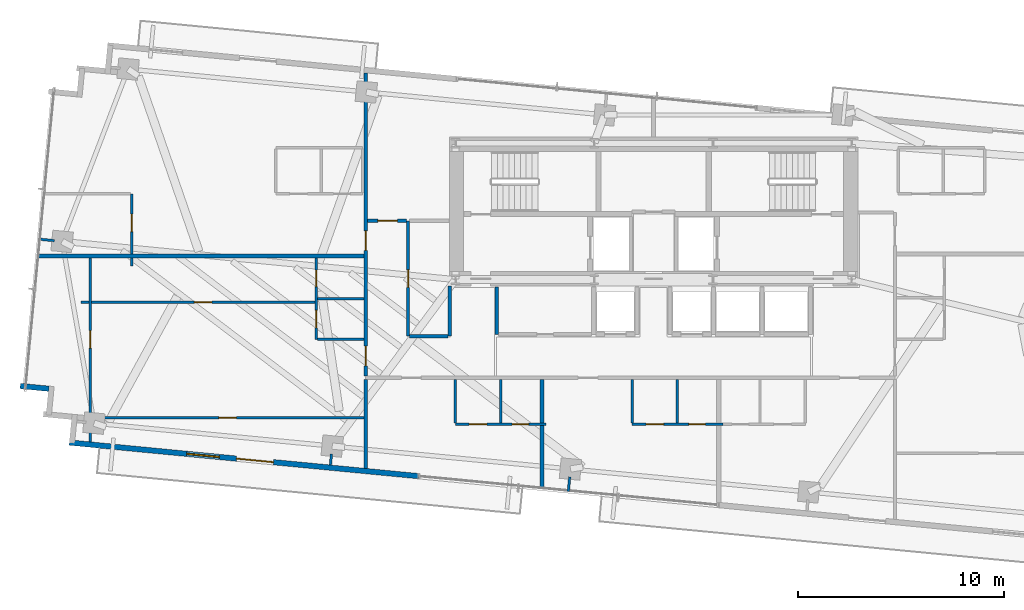
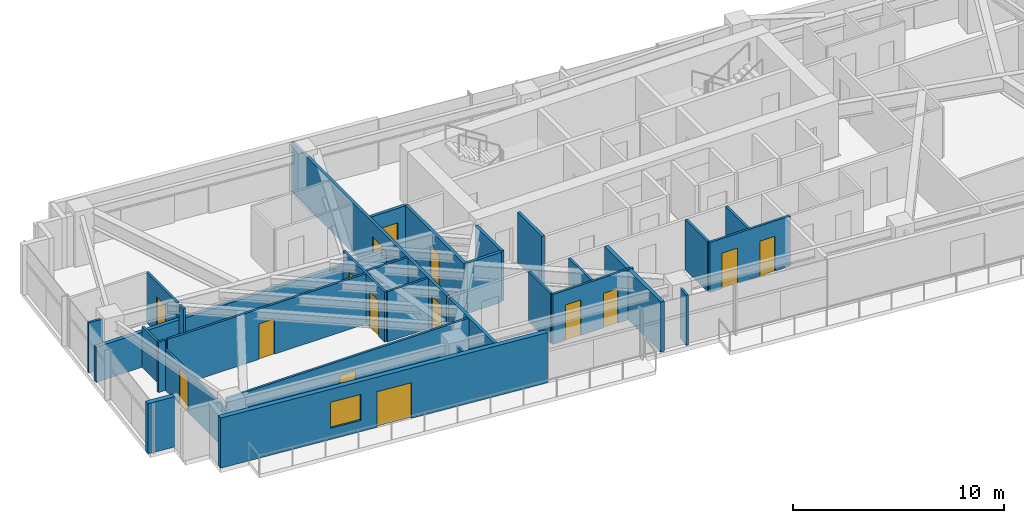
# One storey, part 15 of 20: 30 walls, 15 doors, 1 window, 16 openings.
"""IFC4 building model written with IfcOpenShell, lengths in metres."""

from ifc_helpers import new_model, si_unit, direction, frame, frame_2d, origin, place, context, subcontext, project, spatial, rectangle, extrude, source, transform, mapped, material, layer, layer_set, type_object, type_shapes, element, fill, save


model = new_model("IFC4")

# Units and contexts
model_context = context("Model", 3, precision=1e-05, world=origin(), true_north=direction((0.0, 1.0)))
body_context = subcontext(model_context, "Body", "Model", "MODEL_VIEW")
ifc_project = project(units=[si_unit("LENGTHUNIT", "METRE"), si_unit("AREAUNIT", "SQUARE_METRE"), si_unit("VOLUMEUNIT", "CUBIC_METRE"), si_unit("PLANEANGLEUNIT", "RADIAN"), si_unit("MASSUNIT", "GRAM", prefix="KILO")], contexts=[model_context])

# Site, building, storey
site_placement = place(None, origin())
site = spatial("IfcSite", under=ifc_project, at=site_placement, CompositionType="ELEMENT")
building_placement = place(site_placement, origin())
building = spatial("IfcBuilding", under=site, at=building_placement, Name="Astriad Promenade Condominiums", CompositionType="ELEMENT")
storey_placement = place(building_placement, frame((0.0, 0.0, 159.800048828125)))
storey = spatial("IfcBuildingStorey", under=building, at=storey_placement, Name="L46", CompositionType="ELEMENT", Elevation=159.800048828125)

# Walls
ifc_material_1 = material(Name="Fire-Rated Gypsum Partition")
ifc_layer_1 = layer(ifc_material_1, 0.159912109375)
ifc_layer_set_1 = layer_set([ifc_layer_1], Name="Fire-Rated Gypsum Partition")
wall_type_1 = type_object("IfcWallType", Name="WALL-CORR-160", PredefinedType="PARTITIONING", material=ifc_layer_set_1)
wall_1_placement = place(storey_placement, frame((28.39990234375, 14.75, 0.0), z_axis=(0.0, 0.0, 1.0), x_axis=(0.0, 1.0, 0.0)))
element("IfcWall", 1, at=wall_1_placement, inside=storey, type_object=wall_type_1, Name="REC-L-W-L46", PredefinedType="PARTITIONING", context=body_context, shape_type="SweptSolid", body=[
    extrude(rectangle(XDim=2.300048828125, YDim=0.159912109375, at=frame_2d((1.14990234375, 0.0))), origin(), (0.0, 0.0, 1.0), 2.89990234375),
])
wall_2_placement = place(storey_placement, frame((22.050048828125, 8.253173828125, 0.0), z_axis=(0.0, 0.0, 1.0), x_axis=(0.0, 1.0, 0.0)))
element("IfcWall", 2, at=wall_2_placement, inside=storey, type_object=wall_type_1, Name="PT-COR-W-L46", PredefinedType="PARTITIONING", context=body_context, shape_type="SweptSolid", body=[
    extrude(rectangle(XDim=4.31494140625, YDim=0.159912109375, at=frame_2d((2.157470703125, 0.0))), origin(), (0.0, 0.0, 1.0), 2.89990234375),
])

# Wall, openings, doors
wall_3_placement = place(storey_placement, frame((22.050048828125, 12.73193359375, 0.0), z_axis=(0.0, 0.0, 1.0), x_axis=(0.0, 1.0, 0.0)))
wall_3 = element("IfcWall", 3, at=wall_3_placement, inside=storey, type_object=wall_type_1, Name="PT-COR-W-L46-S2", PredefinedType="PARTITIONING", context=body_context, shape_type="SweptSolid", body=[
    extrude(rectangle(XDim=14.685302734375, YDim=0.159912109375, at=frame_2d((7.3427734375, 0.0))), origin(), (0.0, 0.0, 1.0), 2.89990234375),
])
opening_1_placement = place(wall_3_placement, frame((0.492919921875, 0.0, 0.0)))
opening_1 = element("IfcOpeningElement", 4, at=opening_1_placement, cuts=wall_3, Name="Opening FD60-APT-095", PredefinedType="OPENING", context=body_context, shape_type="SweptSolid", body=[
    extrude(rectangle(XDim=0.949951171875, YDim=2.06005859375, at=frame_2d((0.47509765625, 1.030029296875))), frame((0.0, 0.08984375, 0.0), z_axis=(0.0, -1.0, 0.0), x_axis=(1.0, 0.0, 0.0)), (0.0, 0.0, 1.0), 0.179931640625),
])
opening_2_placement = place(wall_3_placement, frame((6.0849609375, 0.0, 0.0)))
opening_2 = element("IfcOpeningElement", 5, at=opening_2_placement, cuts=wall_3, Name="Opening FD60-APT-095", PredefinedType="OPENING", context=body_context, shape_type="SweptSolid", body=[
    extrude(rectangle(XDim=0.949951171875, YDim=2.06005859375, at=frame_2d((0.47509765625, 1.030029296875))), frame((0.0, 0.08984375, 0.0), z_axis=(0.0, -1.0, 0.0), x_axis=(1.0, 0.0, 0.0)), (0.0, 0.0, 1.0), 0.179931640625),
])
ifc_material_2 = material(Name="Solid-Core Acoustic Timber Residence Entry Door", Category="wood")
door_type_1 = type_object("IfcDoorType", Name="FD60-APT-095", OperationType="NOTDEFINED", PredefinedType="DOOR", material=ifc_material_2)
shared_shape_1 = source(origin(), body_context, "Body", "SweptSolid", [
    extrude(rectangle(XDim=0.949951171875, YDim=2.06005859375, at=frame_2d((0.47509765625, 1.030029296875))), frame((0.0, 0.02490234375, 0.0), z_axis=(0.0, -1.0, 0.0), x_axis=(1.0, 0.0, 0.0)), (0.0, 0.0, 1.0), 0.050048828125),
])
type_shapes(door_type_1, [shared_shape_1])
door_1_placement = place(opening_1_placement, origin())
door_1 = element("IfcDoor", 6, at=door_1_placement, inside=storey, type_object=door_type_1, Name="D-ENT-L46-W1", OperationType="SINGLE_SWING_LEFT", OverallHeight=2.06005859375, OverallWidth=0.949951171875, PredefinedType="DOOR", context=body_context, shape_type="MappedRepresentation", body=[
    mapped(shared_shape_1, transform((0.0, 0.0, 0.0), scale=1.0)),
])
fill(opening_1, door_1)
door_2_placement = place(opening_2_placement, origin())
door_2 = element("IfcDoor", 7, at=door_2_placement, inside=storey, type_object=door_type_1, Name="D-ENT-L46-W2", OperationType="SINGLE_SWING_LEFT", OverallHeight=2.06005859375, OverallWidth=0.949951171875, PredefinedType="DOOR", context=body_context, shape_type="MappedRepresentation", body=[
    mapped(shared_shape_1, transform((0.0, 0.0, 0.0), scale=1.0)),
])
fill(opening_2, door_2)

# Wall, opening, door
wall_4_placement = place(storey_placement, frame((24.10009765625, 14.659912109375, 0.0), z_axis=(0.0, 0.0, 1.0), x_axis=(0.0, 1.0, 0.0)))
wall_4 = element("IfcWall", 8, at=wall_4_placement, inside=storey, type_object=wall_type_1, Name="PT-HK-E-L46", PredefinedType="PARTITIONING", context=body_context, shape_type="SweptSolid", body=[
    extrude(rectangle(XDim=5.590087890625, YDim=0.159912109375, at=frame_2d((2.794921875, 0.0))), origin(), (0.0, 0.0, 1.0), 2.89990234375),
])
opening_3_placement = place(wall_4_placement, frame((2.360107421875, 0.0, 0.0)))
opening_3 = element("IfcOpeningElement", 9, at=opening_3_placement, cuts=wall_4, Name="Opening FD60-ULOW-085", PredefinedType="OPENING", context=body_context, shape_type="SweptSolid", body=[
    extrude(rectangle(XDim=0.85009765625, YDim=2.0, at=frame_2d((0.425048828125, 1.0))), frame((0.0, 0.08984375, 0.0), z_axis=(0.0, -1.0, 0.0), x_axis=(1.0, 0.0, 0.0)), (0.0, 0.0, 1.0), 0.179931640625),
])
ifc_material_3 = material(Name="Solid-Core Low-Headroom Fire Door")
door_type_2 = type_object("IfcDoorType", Name="FD60-ULOW-085", OperationType="NOTDEFINED", PredefinedType="DOOR", material=ifc_material_3)
shared_shape_2 = source(origin(), body_context, "Body", "SweptSolid", [
    extrude(rectangle(XDim=0.85009765625, YDim=2.0, at=frame_2d((0.425048828125, 1.0))), frame((0.0, 0.02490234375, 0.0), z_axis=(0.0, -1.0, 0.0), x_axis=(1.0, 0.0, 0.0)), (0.0, 0.0, 1.0), 0.050048828125),
])
type_shapes(door_type_2, [shared_shape_2])
door_3_placement = place(opening_3_placement, origin())
door_3 = element("IfcDoor", 10, at=door_3_placement, inside=storey, type_object=door_type_2, Name="D-HKA-L46", OperationType="SINGLE_SWING_LEFT", OverallHeight=2.0, OverallWidth=0.85009765625, PredefinedType="DOOR", context=body_context, shape_type="MappedRepresentation", body=[
    mapped(shared_shape_2, transform((0.0, 0.0, 0.0), scale=1.0)),
])
fill(opening_3, door_3)

wall_5_placement = place(storey_placement, frame((22.132080078125, 20.25, 0.0), z_axis=(0.0, 0.0, 1.0), x_axis=(1.0, 0.0, 0.0)))
wall_5 = element("IfcWall", 11, at=wall_5_placement, inside=storey, type_object=wall_type_1, Name="PT-HK-N-L46", PredefinedType="PARTITIONING", context=body_context, shape_type="SweptSolid", body=[
    extrude(rectangle(XDim=1.885986328125, YDim=0.159912109375, at=frame_2d((0.94287109375, 0.0))), origin(), (0.0, 0.0, 1.0), 2.89990234375),
])
opening_4_placement = place(wall_5_placement, frame((0.508056640625, 0.0, 0.0)))
opening_4 = element("IfcOpeningElement", 12, at=opening_4_placement, cuts=wall_5, Name="Opening FD60-APT-095", PredefinedType="OPENING", context=body_context, shape_type="SweptSolid", body=[
    extrude(rectangle(XDim=0.949951171875, YDim=2.06005859375, at=frame_2d((0.47509765625, 1.030029296875))), frame((0.0, 0.08984375, 0.0), z_axis=(0.0, -1.0, 0.0), x_axis=(1.0, 0.0, 0.0)), (0.0, 0.0, 1.0), 0.179931640625),
])
door_4_placement = place(opening_4_placement, origin())
door_4 = element("IfcDoor", 13, at=door_4_placement, inside=storey, type_object=door_type_1, Name="D-HKB-L46", OperationType="SINGLE_SWING_RIGHT", OverallHeight=2.06005859375, OverallWidth=0.949951171875, PredefinedType="DOOR", context=body_context, shape_type="MappedRepresentation", body=[
    mapped(shared_shape_1, transform((0.0, 0.0, 0.0), scale=1.0)),
])
fill(opening_4, door_4)

# Walls
wall_6_placement = place(storey_placement, frame((26.1201171875, 14.659912109375, 0.0), z_axis=(0.0, 0.0, 1.0), x_axis=(0.0, 1.0, 0.0)))
element("IfcWall", 14, at=wall_6_placement, inside=storey, type_object=wall_type_1, Name="PT-WSPUR-W-L46", PredefinedType="PARTITIONING", context=body_context, shape_type="SweptSolid", body=[
    extrude(rectangle(XDim=2.43798828125, YDim=0.159912109375, at=frame_2d((1.218994140625, 0.0))), origin(), (0.0, 0.0, 1.0), 2.89990234375),
])
wall_7_placement = place(storey_placement, frame((24.181884765625, 14.659912109375, 0.0), z_axis=(0.0, 0.0, 1.0), x_axis=(1.0, 0.0, 0.0)))
element("IfcWall", 15, at=wall_7_placement, inside=storey, type_object=wall_type_1, Name="PT-HK-S-L46", PredefinedType="PARTITIONING", context=body_context, shape_type="SweptSolid", body=[
    extrude(rectangle(XDim=1.856201171875, YDim=0.159912109375, at=frame_2d((0.92822265625, 0.0))), origin(), (0.0, 0.0, 1.0), 2.89990234375),
])
ifc_material_4 = material(Name="Acoustic Double-Stud Gypsum Partition")
ifc_layer_2 = layer(ifc_material_4, 0.199951171875)
ifc_layer_set_2 = layer_set([ifc_layer_2], Name="Acoustic Double-Stud Gypsum Partition")
wall_type_2 = type_object("IfcWallType", Name="WALL-DEMISING-200", PredefinedType="PARTITIONING", material=ifc_layer_set_2)
wall_8_placement = place(storey_placement, frame((30.591064453125, 7.247802734375, 0.0), z_axis=(0.0, 0.0, 1.0), x_axis=(0.0, 1.0, 0.0)))
element("IfcWall", 16, at=wall_8_placement, inside=storey, type_object=wall_type_2, Name="PT-DEM-S1-L46", PredefinedType="PARTITIONING", context=body_context, shape_type="SweptSolid", body=[
    extrude(rectangle(XDim=3.090087890625, YDim=0.199951171875, at=frame_2d((1.544921875, 0.0))), origin(), (0.0, 0.0, 1.0), 2.89990234375),
])
wall_9_placement = place(storey_placement, frame((30.591064453125, 10.4619140625, 0.0), z_axis=(0.0, 0.0, 1.0), x_axis=(0.0, 1.0, 0.0)))
element("IfcWall", 17, at=wall_9_placement, inside=storey, type_object=wall_type_2, Name="PT-DEM-S1-L46-S2", PredefinedType="PARTITIONING", context=body_context, shape_type="SweptSolid", body=[
    extrude(rectangle(XDim=2.106201171875, YDim=0.199951171875, at=frame_2d((1.05322265625, 0.0))), origin(), (0.0, 0.0, 1.0), 2.89990234375),
])
wall_10_placement = place(storey_placement, frame((6.125, 18.550048828125, 0.0), z_axis=(0.0, 0.0, 1.0), x_axis=(1.0, 0.0, 0.0)))
element("IfcWall", 18, at=wall_10_placement, inside=storey, type_object=wall_type_2, Name="PT-DEM-WW-L46", PredefinedType="PARTITIONING", context=body_context, shape_type="SweptSolid", body=[
    extrude(rectangle(XDim=15.843017578125, YDim=0.199951171875, at=frame_2d((7.92138671875, 0.0))), origin(), (0.0, 0.0, 1.0), 2.02294921875),
])
ifc_material_5 = material(Name="Precast concrete C50/60", Category="concrete")
ifc_layer_3 = layer(ifc_material_5, 0.260009765625)
ifc_layer_set_3 = layer_set([ifc_layer_3], Name="Precast concrete C50/60")
wall_type_3 = type_object("IfcWallType", Name="WALL-EXT-TWR-260", PredefinedType="STANDARD", material=ifc_layer_set_3)
wall_11_placement = place(storey_placement, frame((6.6953125, 12.110595703125, 0.0), z_axis=(0.0, 0.0, 1.0), x_axis=(-0.99540614245, 0.095742423056, 0.0)))
element("IfcWall", 19, at=wall_11_placement, inside=storey, type_object=wall_type_3, Name="W-SER-L46-02", PredefinedType="STANDARD", context=body_context, shape_type="SweptSolid", body=[
    extrude(rectangle(XDim=1.394775390625, YDim=0.260009765625, at=frame_2d((0.697265625, 0.0))), origin(), (0.0, 0.0, 1.0), 2.89990234375),
])

# Wall, openings, door, window
wall_12_placement = place(storey_placement, frame((24.61669921875, 7.873291015625, 0.0), z_axis=(0.0, 0.0, 1.0), x_axis=(-0.995395976631, 0.095848055311, 0.0)))
wall_12 = element("IfcWall", 20, at=wall_12_placement, inside=storey, type_object=wall_type_3, Name="W-EXT-L46-S2", PredefinedType="STANDARD", context=body_context, shape_type="SweptSolid", body=[
    extrude(rectangle(XDim=17.010009765625, YDim=0.260009765625, at=frame_2d((8.5048828125, 0.0))), origin(), (0.0, 0.0, 1.0), 2.89990234375),
])
opening_5_placement = place(wall_12_placement, frame((7.070068359375, 0.0, 0.0)))
opening_5 = element("IfcOpeningElement", 21, at=opening_5_placement, cuts=wall_12, Name="Opening BD-1822-SLD", PredefinedType="OPENING", context=body_context, shape_type="SweptSolid", body=[
    extrude(rectangle(XDim=1.800048828125, YDim=2.06005859375, at=frame_2d((0.89990234375, 1.030029296875))), frame((0.0, 0.139892578125, 0.0), z_axis=(0.0, -1.0, 0.0), x_axis=(1.0, 0.0, 0.0)), (0.0, 0.0, 1.0), 0.280029296875),
])
opening_6_placement = place(wall_12_placement, frame((9.699951171875, 0.0, 0.64990234375)))
opening_6 = element("IfcOpeningElement", 22, at=opening_6_placement, cuts=wall_12, Name="Opening WIN-TWR-1620", PredefinedType="OPENING", context=body_context, shape_type="SweptSolid", body=[
    extrude(rectangle(XDim=1.60009765625, YDim=1.5, at=frame_2d((0.800048828125, 0.75))), frame((0.0, 0.139892578125, 0.0), z_axis=(0.0, -1.0, 0.0), x_axis=(1.0, 0.0, 0.0)), (0.0, 0.0, 1.0), 0.280029296875),
])
ifc_material_6 = material(Name="Thermally Broken Aluminium Sliding Balcony Door", Category="aluminium")
door_type_3 = type_object("IfcDoorType", Name="BD-1822-SLD", OperationType="NOTDEFINED", PredefinedType="DOOR", material=ifc_material_6)
shared_shape_3 = source(origin(), body_context, "Body", "SweptSolid", [
    extrude(rectangle(XDim=1.800048828125, YDim=2.06005859375, at=frame_2d((0.89990234375, 1.030029296875))), frame((0.0, 0.02490234375, 0.0), z_axis=(0.0, -1.0, 0.0), x_axis=(1.0, 0.0, 0.0)), (0.0, 0.0, 1.0), 0.050048828125),
])
type_shapes(door_type_3, [shared_shape_3])
door_5_placement = place(opening_5_placement, origin())
door_5 = element("IfcDoor", 23, at=door_5_placement, inside=storey, type_object=door_type_3, Name="BD-L46-SW", OperationType="SLIDING_TO_LEFT", OverallHeight=2.06005859375, OverallWidth=1.800048828125, PredefinedType="DOOR", context=body_context, shape_type="MappedRepresentation", body=[
    mapped(shared_shape_3, transform((0.0, 0.0, 0.0), scale=1.0)),
])
fill(opening_5, door_5)
ifc_material_7 = material(Name="Dark Tinted Triple-Glazed Aluminium Window", Category="aluminium")
window_type = type_object("IfcWindowType", Name="WIN-TWR-1620", PartitioningType="SINGLE_PANEL", PredefinedType="WINDOW", material=ifc_material_7)
shared_shape_4 = source(origin(), body_context, "Body", "SweptSolid", [
    extrude(rectangle(XDim=1.60009765625, YDim=1.5, at=frame_2d((0.800048828125, 0.75))), frame((0.0, 0.030029296875, 0.0), z_axis=(0.0, -1.0, 0.0), x_axis=(1.0, 0.0, 0.0)), (0.0, 0.0, 1.0), 0.06005859375),
])
type_shapes(window_type, [shared_shape_4])
window_placement = place(opening_6_placement, origin())
window = element("IfcWindow", 24, at=window_placement, inside=storey, type_object=window_type, Name="WIN-L46-SW", OverallHeight=1.5, OverallWidth=1.60009765625, PartitioningType="SINGLE_PANEL", PredefinedType="WINDOW", context=body_context, shape_type="MappedRepresentation", body=[
    mapped(shared_shape_4, transform((0.0, 0.0, 0.0), scale=1.0)),
])
fill(opening_6, window)

# Wall, openings, doors
ifc_material_8 = material(Name="Acoustic Metal-Stud Gypsum Partition")
ifc_layer_4 = layer(ifc_material_8, 0.1201171875)
ifc_layer_set_4 = layer_set([ifc_layer_4], Name="Acoustic Metal-Stud Gypsum Partition")
wall_type_4 = type_object("IfcWallType", Name="WALL-PART-120", PredefinedType="PARTITIONING", material=ifc_layer_set_4)
wall_13_placement = place(storey_placement, frame((26.39111328125, 10.39990234375, 0.0), z_axis=(0.0, 0.0, 1.0), x_axis=(1.0, 0.0, 0.0)))
wall_13 = element("IfcWall", 25, at=wall_13_placement, inside=storey, type_object=wall_type_4, Name="PT-L46-S1-PS", PredefinedType="PARTITIONING", context=body_context, shape_type="SweptSolid", body=[
    extrude(rectangle(XDim=4.39990234375, YDim=0.1201171875, at=frame_2d((2.199951171875, 0.0))), origin(), (0.0, 0.0, 1.0), 2.89990234375),
])
opening_7_placement = place(wall_13_placement, frame((0.675048828125, 0.0, 0.0)))
opening_7 = element("IfcOpeningElement", 26, at=opening_7_placement, cuts=wall_13, Name="Opening D-INT-085", PredefinedType="OPENING", context=body_context, shape_type="SweptSolid", body=[
    extrude(rectangle(XDim=0.85009765625, YDim=2.050048828125, at=frame_2d((0.425048828125, 1.02490234375))), frame((0.0, 0.070068359375, 0.0), z_axis=(0.0, -1.0, 0.0), x_axis=(1.0, 0.0, 0.0)), (0.0, 0.0, 1.0), 0.14013671875),
])
opening_8_placement = place(wall_13_placement, frame((2.75, 0.0, 0.0)))
opening_8 = element("IfcOpeningElement", 27, at=opening_8_placement, cuts=wall_13, Name="Opening D-ULOW-080", PredefinedType="OPENING", context=body_context, shape_type="SweptSolid", body=[
    extrude(rectangle(XDim=0.800048828125, YDim=2.0, at=frame_2d((0.39990234375, 1.0))), frame((0.0, 0.070068359375, 0.0), z_axis=(0.0, -1.0, 0.0), x_axis=(1.0, 0.0, 0.0)), (0.0, 0.0, 1.0), 0.14013671875),
])
ifc_material_9 = material(Name="Painted Solid-Core Timber Room Door", Category="wood")
door_type_4 = type_object("IfcDoorType", Name="D-INT-085", OperationType="NOTDEFINED", PredefinedType="DOOR", material=ifc_material_9)
shared_shape_5 = source(origin(), body_context, "Body", "SweptSolid", [
    extrude(rectangle(XDim=0.85009765625, YDim=2.050048828125, at=frame_2d((0.425048828125, 1.02490234375))), frame((0.0, 0.02490234375, 0.0), z_axis=(0.0, -1.0, 0.0), x_axis=(1.0, 0.0, 0.0)), (0.0, 0.0, 1.0), 0.050048828125),
])
type_shapes(door_type_4, [shared_shape_5])
door_6_placement = place(opening_7_placement, origin())
door_6 = element("IfcDoor", 28, at=door_6_placement, inside=storey, type_object=door_type_4, Name="D-KIT-L46-S1", OperationType="SINGLE_SWING_LEFT", OverallHeight=2.050048828125, OverallWidth=0.85009765625, PredefinedType="DOOR", context=body_context, shape_type="MappedRepresentation", body=[
    mapped(shared_shape_5, transform((0.0, 0.0, 0.0), scale=1.0)),
])
fill(opening_7, door_6)
ifc_material_10 = material(Name="Painted Timber Low-Headroom Door", Category="wood")
door_type_5 = type_object("IfcDoorType", Name="D-ULOW-080", OperationType="NOTDEFINED", PredefinedType="DOOR", material=ifc_material_10)
shared_shape_6 = source(origin(), body_context, "Body", "SweptSolid", [
    extrude(rectangle(XDim=0.800048828125, YDim=2.0, at=frame_2d((0.39990234375, 1.0))), frame((0.0, 0.02490234375, 0.0), z_axis=(0.0, -1.0, 0.0), x_axis=(1.0, 0.0, 0.0)), (0.0, 0.0, 1.0), 0.050048828125),
])
type_shapes(door_type_5, [shared_shape_6])
door_7_placement = place(opening_8_placement, origin())
door_7 = element("IfcDoor", 29, at=door_7_placement, inside=storey, type_object=door_type_5, Name="D-BTH-L46-S1", OperationType="SINGLE_SWING_RIGHT", OverallHeight=2.0, OverallWidth=0.800048828125, PredefinedType="DOOR", context=body_context, shape_type="MappedRepresentation", body=[
    mapped(shared_shape_6, transform((0.0, 0.0, 0.0), scale=1.0)),
])
fill(opening_8, door_7)

# Walls
for number, where, z_axis, x_axis, name in (
    (30, (26.39111328125, 10.4619140625, 0.0), (0.0, 0.0, 1.0), (0.0, 1.0, 0.0), "PT-L46-S1-PK"),
    (31, (28.591064453125, 10.4619140625, 0.0), (0.0, 0.0, 1.0), (0.0, 1.0, 0.0), "PT-L46-S1-PB"),
):
    element("IfcWall", number, at=place(storey_placement, frame(where, z_axis=z_axis, x_axis=x_axis)), inside=storey, type_object=wall_type_4, Name=name, PredefinedType="PARTITIONING", context=body_context, shape_type="SweptSolid", body=[
        extrude(rectangle(XDim=2.106201171875, YDim=0.1201171875, at=frame_2d((1.05322265625, 0.0))), origin(), (0.0, 0.0, 1.0), 2.89990234375),
    ])

# Wall, openings, doors
wall_14_placement = place(storey_placement, frame((34.958984375, 10.39990234375, 0.0), z_axis=(0.0, 0.0, 1.0), x_axis=(1.0, 0.0, 0.0)))
wall_14 = element("IfcWall", 32, at=wall_14_placement, inside=storey, type_object=wall_type_4, Name="PT-L46-S2-PS", PredefinedType="PARTITIONING", context=body_context, shape_type="SweptSolid", body=[
    extrude(rectangle(XDim=4.39990234375, YDim=0.1201171875, at=frame_2d((2.199951171875, 0.0))), origin(), (0.0, 0.0, 1.0), 2.89990234375),
])
opening_9_placement = place(wall_14_placement, frame((0.675048828125, 0.0, 0.0)))
opening_9 = element("IfcOpeningElement", 33, at=opening_9_placement, cuts=wall_14, Name="Opening D-INT-085", PredefinedType="OPENING", context=body_context, shape_type="SweptSolid", body=[
    extrude(rectangle(XDim=0.85009765625, YDim=2.050048828125, at=frame_2d((0.425048828125, 1.02490234375))), frame((0.0, 0.070068359375, 0.0), z_axis=(0.0, -1.0, 0.0), x_axis=(1.0, 0.0, 0.0)), (0.0, 0.0, 1.0), 0.14013671875),
])
opening_10_placement = place(wall_14_placement, frame((2.75, 0.0, 0.0)))
opening_10 = element("IfcOpeningElement", 34, at=opening_10_placement, cuts=wall_14, Name="Opening D-WET-080", PredefinedType="OPENING", context=body_context, shape_type="SweptSolid", body=[
    extrude(rectangle(XDim=0.800048828125, YDim=2.02001953125, at=frame_2d((0.39990234375, 1.010009765625))), frame((0.0, 0.070068359375, 0.0), z_axis=(0.0, -1.0, 0.0), x_axis=(1.0, 0.0, 0.0)), (0.0, 0.0, 1.0), 0.14013671875),
])
ifc_material_11 = material(Name="Moisture-Resistant Timber Bathroom Door", Category="wood")
door_type_6 = type_object("IfcDoorType", Name="D-WET-080", OperationType="NOTDEFINED", PredefinedType="DOOR", material=ifc_material_11)
shared_shape_7 = source(origin(), body_context, "Body", "SweptSolid", [
    extrude(rectangle(XDim=0.800048828125, YDim=2.02001953125, at=frame_2d((0.39990234375, 1.010009765625))), frame((0.0, 0.02490234375, 0.0), z_axis=(0.0, -1.0, 0.0), x_axis=(1.0, 0.0, 0.0)), (0.0, 0.0, 1.0), 0.050048828125),
])
type_shapes(door_type_6, [shared_shape_7])
door_8_placement = place(opening_10_placement, origin())
door_8 = element("IfcDoor", 35, at=door_8_placement, inside=storey, type_object=door_type_6, Name="D-BTH-L46-S2", OperationType="SINGLE_SWING_LEFT", OverallHeight=2.02001953125, OverallWidth=0.800048828125, PredefinedType="DOOR", context=body_context, shape_type="MappedRepresentation", body=[
    mapped(shared_shape_7, transform((0.0, 0.0, 0.0), scale=1.0)),
])
fill(opening_10, door_8)
door_9_placement = place(opening_9_placement, origin())
door_9 = element("IfcDoor", 36, at=door_9_placement, inside=storey, type_object=door_type_4, Name="D-KIT-L46-S2", OperationType="SINGLE_SWING_RIGHT", OverallHeight=2.050048828125, OverallWidth=0.85009765625, PredefinedType="DOOR", context=body_context, shape_type="MappedRepresentation", body=[
    mapped(shared_shape_5, transform((0.0, 0.0, 0.0), scale=1.0)),
])
fill(opening_9, door_9)

# Walls
for number, where, z_axis, x_axis, name in (
    (37, (34.958984375, 10.4619140625, 0.0), (0.0, 0.0, 1.0), (0.0, 1.0, 0.0), "PT-L46-S2-PK"),
    (38, (37.158935546875, 10.4619140625, 0.0), (0.0, 0.0, 1.0), (0.0, 1.0, 0.0), "PT-L46-S2-PB"),
):
    element("IfcWall", number, at=place(storey_placement, frame(where, z_axis=z_axis, x_axis=x_axis)), inside=storey, type_object=wall_type_4, Name=name, PredefinedType="PARTITIONING", context=body_context, shape_type="SweptSolid", body=[
        extrude(rectangle(XDim=2.106201171875, YDim=0.1201171875, at=frame_2d((1.05322265625, 0.0))), origin(), (0.0, 0.0, 1.0), 2.89990234375),
    ])

# Wall, openings, doors
wall_15_placement = place(storey_placement, frame((19.64990234375, 14.5, 0.0), z_axis=(0.0, 0.0, 1.0), x_axis=(0.0, 1.0, 0.0)))
wall_15 = element("IfcWall", 39, at=wall_15_placement, inside=storey, type_object=wall_type_4, Name="PT-L46-W1-PV", PredefinedType="PARTITIONING", context=body_context, shape_type="SweptSolid", body=[
    extrude(rectangle(XDim=3.947998046875, YDim=0.1201171875, at=frame_2d((1.97412109375, 0.0))), origin(), (0.0, 0.0, 1.0), 2.89990234375),
])
opening_11_placement = place(wall_15_placement, frame((0.56298828125, 0.0, 0.0)))
opening_11 = element("IfcOpeningElement", 40, at=opening_11_placement, cuts=wall_15, Name="Opening D-INT-085", PredefinedType="OPENING", context=body_context, shape_type="SweptSolid", body=[
    extrude(rectangle(XDim=0.85009765625, YDim=2.050048828125, at=frame_2d((0.425048828125, 1.02490234375))), frame((0.0, 0.070068359375, 0.0), z_axis=(0.0, -1.0, 0.0), x_axis=(1.0, 0.0, 0.0)), (0.0, 0.0, 1.0), 0.14013671875),
])
opening_12_placement = place(wall_15_placement, frame((2.56201171875, 0.0, 0.0)))
opening_12 = element("IfcOpeningElement", 41, at=opening_12_placement, cuts=wall_15, Name="Opening D-ULOW-080", PredefinedType="OPENING", context=body_context, shape_type="SweptSolid", body=[
    extrude(rectangle(XDim=0.800048828125, YDim=2.0, at=frame_2d((0.39990234375, 1.0))), frame((0.0, 0.070068359375, 0.0), z_axis=(0.0, -1.0, 0.0), x_axis=(1.0, 0.0, 0.0)), (0.0, 0.0, 1.0), 0.14013671875),
])
door_10_placement = place(opening_11_placement, origin())
door_10 = element("IfcDoor", 42, at=door_10_placement, inside=storey, type_object=door_type_4, Name="D-KIT-L46-W1", OperationType="SINGLE_SWING_RIGHT", OverallHeight=2.050048828125, OverallWidth=0.85009765625, PredefinedType="DOOR", context=body_context, shape_type="MappedRepresentation", body=[
    mapped(shared_shape_5, transform((0.0, 0.0, 0.0), scale=1.0)),
])
fill(opening_11, door_10)
door_11_placement = place(opening_12_placement, origin())
door_11 = element("IfcDoor", 43, at=door_11_placement, inside=storey, type_object=door_type_5, Name="D-BTH-L46-W1", OperationType="SINGLE_SWING_LEFT", OverallHeight=2.0, OverallWidth=0.800048828125, PredefinedType="DOOR", context=body_context, shape_type="MappedRepresentation", body=[
    mapped(shared_shape_6, transform((0.0, 0.0, 0.0), scale=1.0)),
])
fill(opening_12, door_11)

# Walls
for number, where, z_axis, x_axis, name in (
    (44, (19.7119140625, 16.47509765625, 0.0), (0.0, 0.0, 1.0), (1.0, 0.0, 0.0), "PT-L46-W1-PM"),
    (45, (19.7119140625, 14.5, 0.0), (0.0, 0.0, 1.0), (1.0, 0.0, 0.0), "PT-L46-W1-PS"),
):
    element("IfcWall", number, at=place(storey_placement, frame(where, z_axis=z_axis, x_axis=x_axis)), inside=storey, type_object=wall_type_4, Name=name, PredefinedType="PARTITIONING", context=body_context, shape_type="SweptSolid", body=[
        extrude(rectangle(XDim=2.256103515625, YDim=0.1201171875, at=frame_2d((1.1279296875, 0.0))), origin(), (0.0, 0.0, 1.0), 2.89990234375),
    ])

# Wall, opening, door
wall_16_placement = place(storey_placement, frame((8.68896484375, 9.53955078125, 0.0), z_axis=(0.0, 0.0, 1.0), x_axis=(0.0, 1.0, 0.0)))
wall_16 = element("IfcWall", 46, at=wall_16_placement, inside=storey, type_object=wall_type_4, Name="PT-L46-W1-B1", PredefinedType="PARTITIONING", context=body_context, shape_type="SweptSolid", body=[
    extrude(rectangle(XDim=8.908447265625, YDim=0.1201171875, at=frame_2d((4.4541015625, 0.0))), origin(), (0.0, 0.0, 1.0), 2.342529296875),
])
opening_13_placement = place(wall_16_placement, frame((4.54248046875, 0.0, 0.0)))
opening_13 = element("IfcOpeningElement", 47, at=opening_13_placement, cuts=wall_16, Name="Opening D-INT-085", PredefinedType="OPENING", context=body_context, shape_type="SweptSolid", body=[
    extrude(rectangle(XDim=0.85009765625, YDim=2.050048828125, at=frame_2d((0.425048828125, 1.02490234375))), frame((0.0, 0.070068359375, 0.0), z_axis=(0.0, -1.0, 0.0), x_axis=(1.0, 0.0, 0.0)), (0.0, 0.0, 1.0), 0.14013671875),
])
door_12_placement = place(opening_13_placement, origin())
door_12 = element("IfcDoor", 48, at=door_12_placement, inside=storey, type_object=door_type_4, Name="D-BD1-L46-W1", OperationType="SINGLE_SWING_RIGHT", OverallHeight=2.050048828125, OverallWidth=0.85009765625, PredefinedType="DOOR", context=body_context, shape_type="MappedRepresentation", body=[
    mapped(shared_shape_5, transform((0.0, 0.0, 0.0), scale=1.0)),
])
fill(opening_13, door_12)

wall_17_placement = place(storey_placement, frame((8.7509765625, 10.694091796875, 0.0), z_axis=(0.0, 0.0, 1.0), x_axis=(1.0, 0.0, 0.0)))
wall_17 = element("IfcWall", 49, at=wall_17_placement, inside=storey, type_object=wall_type_4, Name="PT-L46-W1-WDS1", PredefinedType="PARTITIONING", context=body_context, shape_type="SweptSolid", body=[
    extrude(rectangle(XDim=13.217041015625, YDim=0.1201171875, at=frame_2d((6.6083984375, 0.0))), origin(), (0.0, 0.0, 1.0), 2.89990234375),
])
opening_14_placement = place(wall_17_placement, frame((6.18408203125, 0.0, 0.0)))
opening_14 = element("IfcOpeningElement", 50, at=opening_14_placement, cuts=wall_17, Name="Opening D-INT-085", PredefinedType="OPENING", context=body_context, shape_type="SweptSolid", body=[
    extrude(rectangle(XDim=0.85009765625, YDim=2.050048828125, at=frame_2d((0.425048828125, 1.02490234375))), frame((0.0, 0.070068359375, 0.0), z_axis=(0.0, -1.0, 0.0), x_axis=(1.0, 0.0, 0.0)), (0.0, 0.0, 1.0), 0.14013671875),
])
door_13_placement = place(opening_14_placement, origin())
door_13 = element("IfcDoor", 51, at=door_13_placement, inside=storey, type_object=door_type_4, Name="D-WDS1-L46-W1", OperationType="SINGLE_SWING_LEFT", OverallHeight=2.050048828125, OverallWidth=0.85009765625, PredefinedType="DOOR", context=body_context, shape_type="MappedRepresentation", body=[
    mapped(shared_shape_5, transform((0.0, 0.0, 0.0), scale=1.0)),
])
fill(opening_14, door_13)

# Wall
wall_18_placement = place(storey_placement, frame((8.2490234375, 16.304931640625, 0.0), z_axis=(0.0, 0.0, 1.0), x_axis=(1.0, 0.0, 0.0)))
element("IfcWall", 52, at=wall_18_placement, inside=storey, type_object=wall_type_4, Name="PT-L46-W1-WDN2", PredefinedType="PARTITIONING", context=body_context, shape_type="SweptSolid", body=[
    extrude(rectangle(XDim=0.3779296875, YDim=0.1201171875, at=frame_2d((0.18896484375, 0.0))), origin(), (0.0, 0.0, 1.0), 2.89990234375),
])

# Wall, opening, door
wall_19_placement = place(storey_placement, frame((8.7509765625, 16.304931640625, 0.0), z_axis=(0.0, 0.0, 1.0), x_axis=(1.0, 0.0, 0.0)))
wall_19 = element("IfcWall", 53, at=wall_19_placement, inside=storey, type_object=wall_type_4, Name="PT-L46-W1-WDN2-S2", PredefinedType="PARTITIONING", context=body_context, shape_type="SweptSolid", body=[
    extrude(rectangle(XDim=10.8369140625, YDim=0.1201171875, at=frame_2d((5.41845703125, 0.0))), origin(), (0.0, 0.0, 1.0), 2.89990234375),
])
opening_15_placement = place(wall_19_placement, frame((4.992919921875, 0.0, 0.0)))
opening_15 = element("IfcOpeningElement", 54, at=opening_15_placement, cuts=wall_19, Name="Opening D-INT-085", PredefinedType="OPENING", context=body_context, shape_type="SweptSolid", body=[
    extrude(rectangle(XDim=0.85009765625, YDim=2.050048828125, at=frame_2d((0.425048828125, 1.02490234375))), frame((0.0, 0.070068359375, 0.0), z_axis=(0.0, -1.0, 0.0), x_axis=(1.0, 0.0, 0.0)), (0.0, 0.0, 1.0), 0.14013671875),
])
door_14_placement = place(opening_15_placement, origin())
door_14 = element("IfcDoor", 55, at=door_14_placement, inside=storey, type_object=door_type_4, Name="D-WDN2-L46-W1", OperationType="SINGLE_SWING_RIGHT", OverallHeight=2.050048828125, OverallWidth=0.85009765625, PredefinedType="DOOR", context=body_context, shape_type="MappedRepresentation", body=[
    mapped(shared_shape_5, transform((0.0, 0.0, 0.0), scale=1.0)),
])
fill(opening_15, door_14)

# Wall
wall_20_placement = place(storey_placement, frame((10.714111328125, 18.050048828125, 0.0), z_axis=(0.0, 0.0, 1.0), x_axis=(0.0, 1.0, 0.0)))
element("IfcWall", 56, at=wall_20_placement, inside=storey, type_object=wall_type_4, Name="PT-L46-W2-CAP1", PredefinedType="PARTITIONING", context=body_context, shape_type="SweptSolid", body=[
    extrude(rectangle(XDim=0.39794921875, YDim=0.1201171875, at=frame_2d((0.198974609375, 0.0))), origin(), (0.0, 0.0, 1.0), 2.89990234375),
])

# Wall, opening, door
wall_21_placement = place(storey_placement, frame((10.714111328125, 18.652099609375, 0.0), z_axis=(0.0, 0.0, 1.0), x_axis=(0.0, 1.0, 0.0)))
wall_21 = element("IfcWall", 57, at=wall_21_placement, inside=storey, type_object=wall_type_4, Name="PT-L46-W2-CAP1-S2", PredefinedType="PARTITIONING", context=body_context, shape_type="SweptSolid", body=[
    extrude(rectangle(XDim=2.89794921875, YDim=0.1201171875, at=frame_2d((1.448974609375, 0.0))), origin(), (0.0, 0.0, 1.0), 2.89990234375),
])
opening_16_placement = place(wall_21_placement, frame((1.072998046875, 0.0, 0.0)))
opening_16 = element("IfcOpeningElement", 58, at=opening_16_placement, cuts=wall_21, Name="Opening D-INT-085", PredefinedType="OPENING", context=body_context, shape_type="SweptSolid", body=[
    extrude(rectangle(XDim=0.85009765625, YDim=2.050048828125, at=frame_2d((0.425048828125, 1.02490234375))), frame((0.0, 0.070068359375, 0.0), z_axis=(0.0, -1.0, 0.0), x_axis=(1.0, 0.0, 0.0)), (0.0, 0.0, 1.0), 0.14013671875),
])
door_15_placement = place(opening_16_placement, origin())
door_15 = element("IfcDoor", 59, at=door_15_placement, inside=storey, type_object=door_type_4, Name="D-CAP1-L46-W2", OperationType="SINGLE_SWING_RIGHT", OverallHeight=2.050048828125, OverallWidth=0.85009765625, PredefinedType="DOOR", context=body_context, shape_type="MappedRepresentation", body=[
    mapped(shared_shape_5, transform((0.0, 0.0, 0.0), scale=1.0)),
])
fill(opening_16, door_15)

# Walls
wall_22_placement = place(storey_placement, frame((20.390869140625, 8.953125, 0.0), z_axis=(0.0, 0.0, 1.0), x_axis=(-0.096222656154, -0.995359834654, 0.0)))
element("IfcWall", 60, at=wall_22_placement, inside=storey, type_object=wall_type_4, Name="PT-PIL-L46-PC02-9", PredefinedType="PARTITIONING", context=body_context, shape_type="SweptSolid", body=[
    extrude(rectangle(XDim=0.537841796875, YDim=0.1201171875, at=frame_2d((0.26904296875, 0.0))), origin(), (0.0, 0.0, 1.0), 2.89990234375),
])
wall_23_placement = place(storey_placement, frame((31.9375, 7.84130859375, 0.0), z_axis=(0.0, 0.0, 1.0), x_axis=(-0.095977354523, -0.995383517755, 0.0)))
element("IfcWall", 61, at=wall_23_placement, inside=storey, type_object=wall_type_4, Name="PT-PIL-L46-PC03-10", PredefinedType="PARTITIONING", context=body_context, shape_type="SweptSolid", body=[
    extrude(rectangle(XDim=0.719970703125, YDim=0.1201171875, at=frame_2d((0.35986328125, 0.0))), origin(), (0.0, 0.0, 1.0), 2.89990234375),
])
wall_24_placement = place(storey_placement, frame((6.95947265625, 19.2880859375, 0.0), z_axis=(0.0, 0.0, 1.0), x_axis=(-0.995377786728, 0.096036772582, 0.0)))
element("IfcWall", 62, at=wall_24_placement, inside=storey, type_object=wall_type_4, Name="PT-PIL-L46-PC11-18", PredefinedType="PARTITIONING", context=body_context, shape_type="SweptSolid", body=[
    extrude(rectangle(XDim=0.760009765625, YDim=0.1201171875, at=frame_2d((0.3798828125, 0.0))), origin(), (0.0, 0.0, 1.0), 2.89990234375),
])

save(model, "model.ifc")
